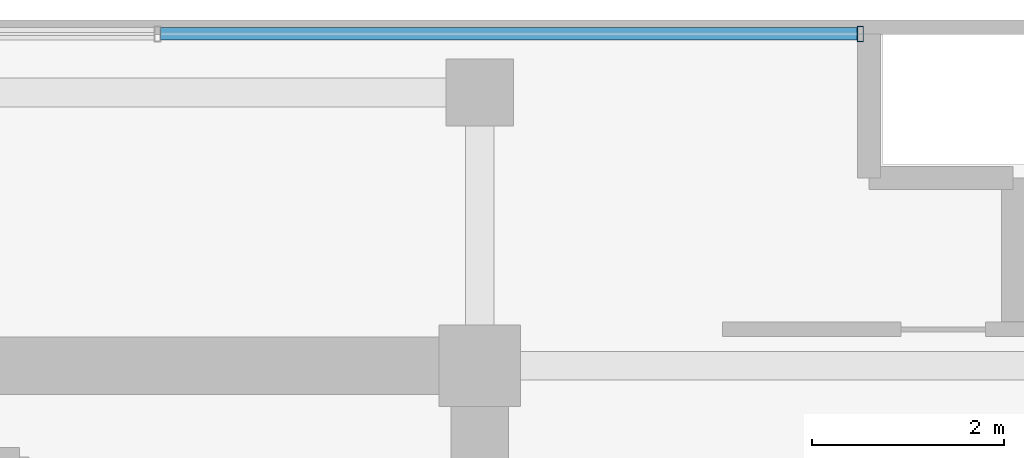
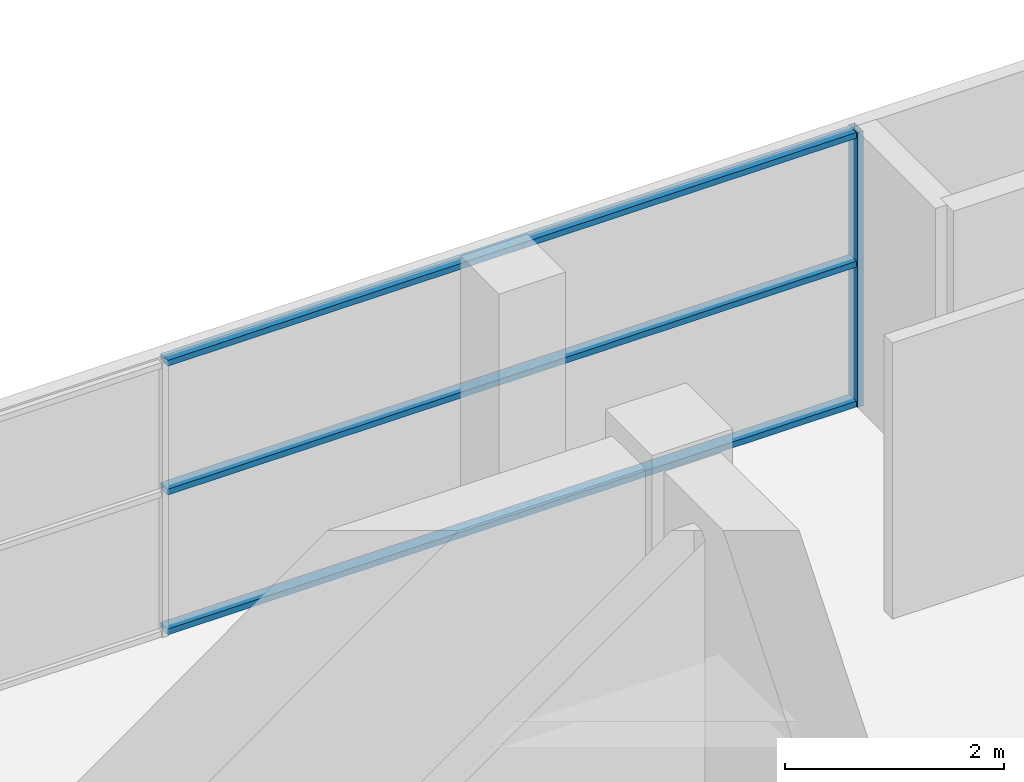
# One storey, part 20 of 28: 4 members, 1 element without a shape of its own.
"""IFC4 building model written with IfcOpenShell, lengths in metres."""

from ifc_helpers import new_model, si_unit, direction, frame, origin, origin_2d, place, context, subcontext, project, spatial, hollow_rectangle, extrude, source, transform, mapped, material, layer, layer_set, material_profile, profile_set, type_object, element, aggregate, save


model = new_model("IFC4")

# Units and contexts
model_context = context("Model", 3, precision=1e-05, world=origin(), true_north=direction((0.0, 1.0)))
body_context = subcontext(model_context, "Body", "Model", "MODEL_VIEW")
ifc_project = project(units=[si_unit("LENGTHUNIT", "METRE"), si_unit("AREAUNIT", "SQUARE_METRE"), si_unit("VOLUMEUNIT", "CUBIC_METRE"), si_unit("PLANEANGLEUNIT", "RADIAN"), si_unit("MASSUNIT", "GRAM", prefix="KILO")], contexts=[model_context])

# Site, building, storey
site_placement = place(None, origin())
site = spatial("IfcSite", under=ifc_project, at=site_placement, CompositionType="ELEMENT")
building_placement = place(site_placement, origin())
building = spatial("IfcBuilding", under=site, at=building_placement, Name="Zarnakvel Exchange Tower", CompositionType="ELEMENT")
storey_placement = place(building_placement, frame((0.0, 0.0, 268.300048828125)))
storey = spatial("IfcBuildingStorey", under=building, at=storey_placement, Name="L76", CompositionType="ELEMENT", Elevation=268.300048828125)

# Curtain wall, members
ifc_material = material(Name="Architectural Bronze Anodised Aluminium", Category="aluminium")
ifc_layer = layer(ifc_material, 0.159912109375)
ifc_layer_set = layer_set([ifc_layer], Name="Architectural Bronze Anodised Aluminium")
curtain_wall_type = type_object("IfcCurtainWallType", Name="CW-06", PredefinedType="NOTDEFINED", material=ifc_layer_set)
curtain_wall_placement = place(storey_placement, origin())
curtain_wall = element("IfcCurtainWall", 1, at=curtain_wall_placement, inside=storey, type_object=curtain_wall_type, Name="L76 Curtain Wall CW-L76-N1 (CW-06)", PredefinedType="NOTDEFINED")
ifc_material_profile_1 = material_profile(ifc_material, hollow_rectangle(XDim=0.1298828125, YDim=0.06494140625, WallThickness=0.00390625, at=origin_2d()))
ifc_profile_set_1 = profile_set([ifc_material_profile_1], Name="Architectural Bronze Anodised Aluminium")
member_type_1 = type_object("IfcMemberType", Name="CWT-06", PredefinedType="USERDEFINED", material=ifc_profile_set_1)
shared_shape_1 = source(origin(), body_context, "Body", "SweptSolid", [
    extrude(hollow_rectangle(XDim=0.1298828125, YDim=0.06494140625, WallThickness=0.00390625, at=origin_2d()), origin(), (0.0, 0.0, 1.0), 7.262451171875),
])
member_1_placement = place(storey_placement, frame((11.072509765625, 16.9599609375, 0.032470703125), z_axis=(1.0, 0.0, 0.0), x_axis=(0.0, 1.0, 0.0)))
member_1 = element("IfcMember", 2, at=member_1_placement, type_object=member_type_1, Name="CW-06 transom 5.1", ObjectType="TRANSOM", PredefinedType="USERDEFINED", context=body_context, shape_type="MappedRepresentation", body=[
    mapped(shared_shape_1, transform((0.0, 0.0, 0.0), x_axis=(1.0, 0.0, 0.0), y_axis=(0.0, 1.0, 0.0), z_axis=(0.0, 0.0, 1.0), scale=1.0)),
])
member_2_placement = place(storey_placement, frame((11.072509765625, 16.9599609375, 1.591064453125), z_axis=(1.0, 0.0, 0.0), x_axis=(0.0, 1.0, 0.0)))
member_2 = element("IfcMember", 3, at=member_2_placement, type_object=member_type_1, Name="CW-06 transom 5.2", ObjectType="TRANSOM", PredefinedType="USERDEFINED", context=body_context, shape_type="MappedRepresentation", body=[
    mapped(shared_shape_1, transform((0.0, 0.0, 0.0), x_axis=(1.0, 0.0, 0.0), y_axis=(0.0, 1.0, 0.0), z_axis=(0.0, 0.0, 1.0), scale=1.0)),
])
member_3_placement = place(storey_placement, frame((11.072509765625, 16.9599609375, 3.02734375), z_axis=(1.0, 0.0, 0.0), x_axis=(0.0, 1.0, 0.0)))
member_3 = element("IfcMember", 4, at=member_3_placement, type_object=member_type_1, Name="CW-06 transom 5.3", ObjectType="TRANSOM", PredefinedType="USERDEFINED", context=body_context, shape_type="MappedRepresentation", body=[
    mapped(shared_shape_1, transform((0.0, 0.0, 0.0), x_axis=(1.0, 0.0, 0.0), y_axis=(0.0, 1.0, 0.0), z_axis=(0.0, 0.0, 1.0), scale=1.0)),
])
ifc_material_profile_2 = material_profile(ifc_material, hollow_rectangle(XDim=0.159912109375, YDim=0.06494140625, WallThickness=0.00390625, at=origin_2d()))
ifc_profile_set_2 = profile_set([ifc_material_profile_2], Name="Architectural Bronze Anodised Aluminium")
member_type_2 = type_object("IfcMemberType", Name="CWM-06", PredefinedType="MULLION", material=ifc_profile_set_2)
shared_shape_2 = source(origin(), body_context, "Body", "SweptSolid", [
    extrude(hollow_rectangle(XDim=0.159912109375, YDim=0.06494140625, WallThickness=0.00390625, at=origin_2d()), origin(), (0.0, 0.0, 1.0), 3.06005859375),
])
member_4_placement = place(storey_placement, frame((18.367431640625, 16.9599609375, 0.0), z_axis=(0.0, 0.0, 1.0), x_axis=(0.0, 1.0, 0.0)))
member_4 = element("IfcMember", 5, at=member_4_placement, type_object=member_type_2, Name="CW-06 mullion 6", PredefinedType="MULLION", context=body_context, shape_type="MappedRepresentation", body=[
    mapped(shared_shape_2, transform((0.0, 0.0, 0.0), x_axis=(1.0, 0.0, 0.0), y_axis=(0.0, 1.0, 0.0), z_axis=(0.0, 0.0, 1.0), scale=1.0)),
])
aggregate(curtain_wall, [member_4, member_1, member_2, member_3])

save(model, "model.ifc")
